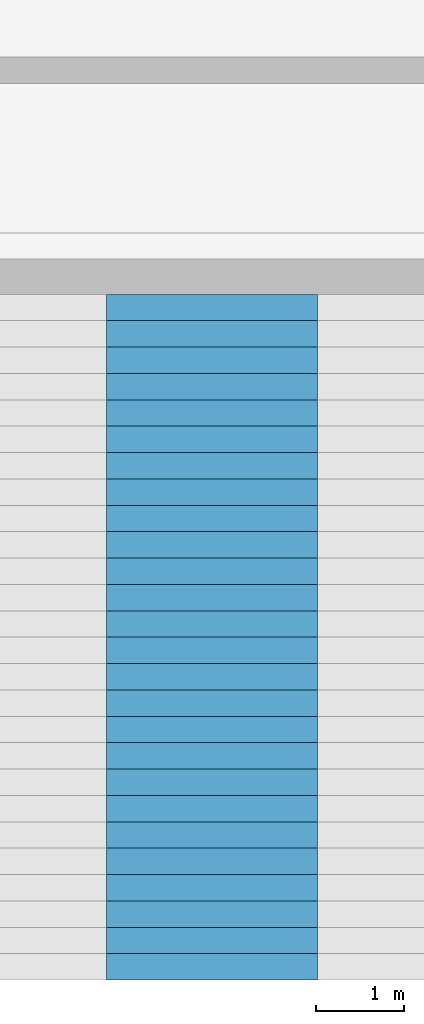
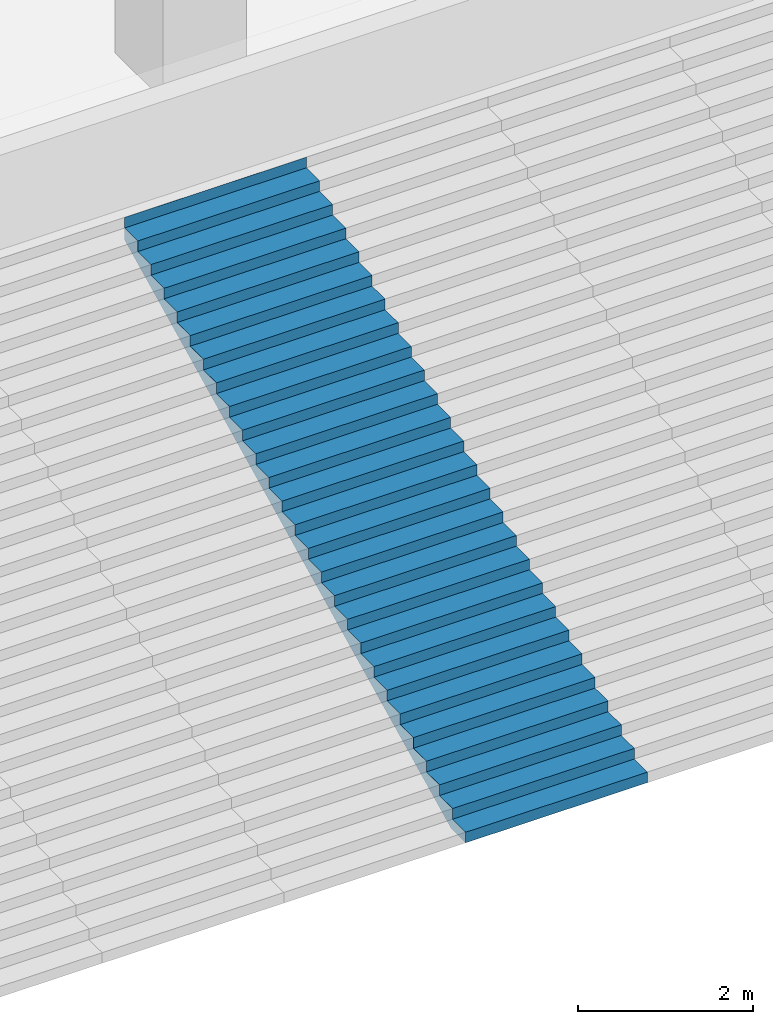
# One storey, part 27 of 45: 1 stair flight, 1 element without a shape of its own.
"""IFC4 building model written with IfcOpenShell, lengths in metres."""

from ifc_helpers import new_model, si_unit, direction, frame, origin, place, context, subcontext, project, spatial, triangles, material, type_object, element, aggregate, save


model = new_model("IFC4")

# Units and contexts
model_context = context("Model", 3, precision=1e-05, world=origin(), true_north=direction((0.0, 1.0)))
body_context = subcontext(model_context, "Body", "Model", "MODEL_VIEW")
ifc_project = project(units=[si_unit("LENGTHUNIT", "METRE"), si_unit("AREAUNIT", "SQUARE_METRE"), si_unit("VOLUMEUNIT", "CUBIC_METRE"), si_unit("PLANEANGLEUNIT", "RADIAN"), si_unit("MASSUNIT", "GRAM", prefix="KILO")], contexts=[model_context])

# Site, building, storey
site_placement = place(None, origin())
site = spatial("IfcSite", under=ifc_project, at=site_placement, CompositionType="ELEMENT")
building_placement = place(site_placement, origin())
building = spatial("IfcBuilding", under=site, at=building_placement, Name="Beryl Residences", CompositionType="ELEMENT")
storey_placement = place(building_placement, frame((0.0, 0.0, 5.0)))
storey = spatial("IfcBuildingStorey", under=building, at=storey_placement, Name="L01", CompositionType="ELEMENT", Elevation=5.0)

# Stair, stair flight
ifc_material_1 = material(Name="Precast concrete C40/50", Category="concrete")
stair_type = type_object("IfcStairType", Name="GS2 garden stair", PredefinedType="STRAIGHT_RUN_STAIR", material=ifc_material_1)
stair_placement = place(storey_placement, origin())
stair = element("IfcStair", 1, at=stair_placement, inside=storey, type_object=stair_type, Name="GS2 garden stair", PredefinedType="STRAIGHT_RUN_STAIR")
ifc_material_2 = material(Name="Precast concrete C40/50", Category="concrete")
stair_flight_type = type_object("IfcStairFlightType", Name="GF2 garden stair flight", PredefinedType="STRAIGHT", material=ifc_material_2)
stair_flight_placement = place(storey_placement, frame((-1.199951171875, -42.199951171875, 0.0), z_axis=(0.0, 0.0, 1.0), x_axis=(0.0, 1.0, 0.0)))
stair_flight = element("IfcStairFlight", 2, at=stair_flight_placement, type_object=stair_flight_type, Name="GS2 flight 5", NumberOfRisers=27, NumberOfTreads=26, PredefinedType="STRAIGHT", RiserHeight=0.148148148, TreadLength=0.3, context=body_context, shape_type="Tessellation", body=[
    triangles([(0.0, -1.199951171875, 0.0), (0.0, -0.60009765625, 0.0), (0.0, 0.0, 0.0), (0.0, 0.60009765625, 0.0), (0.0, 1.199951171875, 0.0), (0.0, -1.199951171875, 0.148193359375), (0.0, -0.60009765625, 0.148193359375), (0.0, 0.0, 0.148193359375), (0.0, 0.60009765625, 0.148193359375), (0.0, 1.199951171875, 0.148193359375), (0.300048828125, -1.199951171875, 0.148193359375), (0.300048828125, -0.60009765625, 0.148193359375), (0.300048828125, 0.0, 0.148193359375), (0.300048828125, 0.60009765625, 0.148193359375), (0.300048828125, 1.199951171875, 0.148193359375), (0.300048828125, -1.199951171875, 0.29638671875), (0.300048828125, -0.60009765625, 0.29638671875), (0.300048828125, 0.0, 0.29638671875), (0.300048828125, 0.60009765625, 0.29638671875), (0.300048828125, 1.199951171875, 0.29638671875), (0.60009765625, -1.199951171875, 0.29638671875), (0.60009765625, -0.60009765625, 0.29638671875), (0.60009765625, 0.0, 0.29638671875), (0.60009765625, 0.60009765625, 0.29638671875), (0.60009765625, 1.199951171875, 0.29638671875), (0.60009765625, -1.199951171875, 0.4443359375), (0.60009765625, -0.60009765625, 0.4443359375), (0.60009765625, 0.0, 0.4443359375), (0.60009765625, 0.60009765625, 0.4443359375), (0.60009765625, 1.199951171875, 0.4443359375), (0.89990234375, -1.199951171875, 0.4443359375), (0.89990234375, -0.60009765625, 0.4443359375), (0.89990234375, 0.0, 0.4443359375), (0.89990234375, 0.60009765625, 0.4443359375), (0.89990234375, 1.199951171875, 0.4443359375), (0.89990234375, -1.199951171875, 0.592529296875), (0.89990234375, -0.60009765625, 0.592529296875), (0.89990234375, 0.0, 0.592529296875), (0.89990234375, 0.60009765625, 0.592529296875), (0.89990234375, 1.199951171875, 0.592529296875), (1.199951171875, -1.199951171875, 0.592529296875), (1.199951171875, -0.60009765625, 0.592529296875), (1.199951171875, 0.0, 0.592529296875), (1.199951171875, 0.60009765625, 0.592529296875), (1.199951171875, 1.199951171875, 0.592529296875), (1.199951171875, -1.199951171875, 0.74072265625), (1.199951171875, -0.60009765625, 0.74072265625), (1.199951171875, 0.0, 0.74072265625), (1.199951171875, 0.60009765625, 0.74072265625), (1.199951171875, 1.199951171875, 0.74072265625), (1.5, -1.199951171875, 0.74072265625), (1.5, -0.60009765625, 0.74072265625), (1.5, 0.0, 0.74072265625), (1.5, 0.60009765625, 0.74072265625), (1.5, 1.199951171875, 0.74072265625), (1.5, -1.199951171875, 0.888916015625), (1.5, -0.60009765625, 0.888916015625), (1.5, 0.0, 0.888916015625), (1.5, 0.60009765625, 0.888916015625), (1.5, 1.199951171875, 0.888916015625), (1.800048828125, -1.199951171875, 0.888916015625), (1.800048828125, -0.60009765625, 0.888916015625), (1.800048828125, 0.0, 0.888916015625), (1.800048828125, 0.60009765625, 0.888916015625), (1.800048828125, 1.199951171875, 0.888916015625), (1.800048828125, -1.199951171875, 1.037109375), (1.800048828125, -0.60009765625, 1.037109375), (1.800048828125, 0.0, 1.037109375), (1.800048828125, 0.60009765625, 1.037109375), (1.800048828125, 1.199951171875, 1.037109375), (2.10009765625, -1.199951171875, 1.037109375), (2.10009765625, -0.60009765625, 1.037109375), (2.10009765625, 0.0, 1.037109375), (2.10009765625, 0.60009765625, 1.037109375), (2.10009765625, 1.199951171875, 1.037109375), (2.10009765625, -1.199951171875, 1.185302734375), (2.10009765625, -0.60009765625, 1.185302734375), (2.10009765625, 0.0, 1.185302734375), (2.10009765625, 0.60009765625, 1.185302734375), (2.10009765625, 1.199951171875, 1.185302734375), (2.39990234375, -1.199951171875, 1.185302734375), (2.39990234375, -0.60009765625, 1.185302734375), (2.39990234375, 0.0, 1.185302734375), (2.39990234375, 0.60009765625, 1.185302734375), (2.39990234375, 1.199951171875, 1.185302734375), (2.39990234375, -1.199951171875, 1.333251953125), (2.39990234375, -0.60009765625, 1.333251953125), (2.39990234375, 0.0, 1.333251953125), (2.39990234375, 0.60009765625, 1.333251953125), (2.39990234375, 1.199951171875, 1.333251953125), (2.699951171875, -1.199951171875, 1.333251953125), (2.699951171875, -0.60009765625, 1.333251953125), (2.699951171875, 0.0, 1.333251953125), (2.699951171875, 0.60009765625, 1.333251953125), (2.699951171875, 1.199951171875, 1.333251953125), (2.699951171875, -1.199951171875, 1.4814453125), (2.699951171875, -0.60009765625, 1.4814453125), (2.699951171875, 0.0, 1.4814453125), (2.699951171875, 0.60009765625, 1.4814453125), (2.699951171875, 1.199951171875, 1.4814453125), (3.0, -1.199951171875, 1.4814453125), (3.0, -0.60009765625, 1.4814453125), (3.0, 0.0, 1.4814453125), (3.0, 0.60009765625, 1.4814453125), (3.0, 1.199951171875, 1.4814453125), (3.0, -1.199951171875, 1.629638671875), (3.0, -0.60009765625, 1.629638671875), (3.0, 0.0, 1.629638671875), (3.0, 0.60009765625, 1.629638671875), (3.0, 1.199951171875, 1.629638671875), (3.300048828125, -1.199951171875, 1.629638671875), (3.300048828125, -0.60009765625, 1.629638671875), (3.300048828125, 0.0, 1.629638671875), (3.300048828125, 0.60009765625, 1.629638671875), (3.300048828125, 1.199951171875, 1.629638671875), (3.300048828125, -1.199951171875, 1.77783203125), (3.300048828125, -0.60009765625, 1.77783203125), (3.300048828125, 0.0, 1.77783203125), (3.300048828125, 0.60009765625, 1.77783203125), (3.300048828125, 1.199951171875, 1.77783203125), (3.60009765625, -1.199951171875, 1.77783203125), (3.60009765625, -0.60009765625, 1.77783203125), (3.60009765625, 0.0, 1.77783203125), (3.60009765625, 0.60009765625, 1.77783203125), (3.60009765625, 1.199951171875, 1.77783203125), (3.60009765625, -1.199951171875, 1.926025390625), (3.60009765625, -0.60009765625, 1.926025390625), (3.60009765625, 0.0, 1.926025390625), (3.60009765625, 0.60009765625, 1.926025390625), (3.60009765625, 1.199951171875, 1.926025390625), (3.89990234375, -1.199951171875, 1.926025390625), (3.89990234375, -0.60009765625, 1.926025390625), (3.89990234375, 0.0, 1.926025390625), (3.89990234375, 0.60009765625, 1.926025390625), (3.89990234375, 1.199951171875, 1.926025390625), (3.89990234375, -1.199951171875, 2.073974609375), (3.89990234375, -0.60009765625, 2.073974609375), (3.89990234375, 0.0, 2.073974609375), (3.89990234375, 0.60009765625, 2.073974609375), (3.89990234375, 1.199951171875, 2.073974609375), (4.199951171875, -1.199951171875, 2.073974609375), (4.199951171875, -0.60009765625, 2.073974609375), (4.199951171875, 0.0, 2.073974609375), (4.199951171875, 0.60009765625, 2.073974609375), (4.199951171875, 1.199951171875, 2.073974609375), (4.199951171875, -1.199951171875, 2.22216796875), (4.199951171875, -0.60009765625, 2.22216796875), (4.199951171875, 0.0, 2.22216796875), (4.199951171875, 0.60009765625, 2.22216796875), (4.199951171875, 1.199951171875, 2.22216796875), (4.5, -1.199951171875, 2.22216796875), (4.5, -0.60009765625, 2.22216796875), (4.5, 0.0, 2.22216796875), (4.5, 0.60009765625, 2.22216796875), (4.5, 1.199951171875, 2.22216796875), (4.5, -1.199951171875, 2.370361328125), (4.5, -0.60009765625, 2.370361328125), (4.5, 0.0, 2.370361328125), (4.5, 0.60009765625, 2.370361328125), (4.5, 1.199951171875, 2.370361328125), (4.800048828125, -1.199951171875, 2.370361328125), (4.800048828125, -0.60009765625, 2.370361328125), (4.800048828125, 0.0, 2.370361328125), (4.800048828125, 0.60009765625, 2.370361328125), (4.800048828125, 1.199951171875, 2.370361328125), (4.800048828125, -1.199951171875, 2.5185546875), (4.800048828125, -0.60009765625, 2.5185546875), (4.800048828125, 0.0, 2.5185546875), (4.800048828125, 0.60009765625, 2.5185546875), (4.800048828125, 1.199951171875, 2.5185546875), (5.10009765625, -1.199951171875, 2.5185546875), (5.10009765625, -0.60009765625, 2.5185546875), (5.10009765625, 0.0, 2.5185546875), (5.10009765625, 0.60009765625, 2.5185546875), (5.10009765625, 1.199951171875, 2.5185546875), (5.10009765625, -1.199951171875, 2.666748046875), (5.10009765625, -0.60009765625, 2.666748046875), (5.10009765625, 0.0, 2.666748046875), (5.10009765625, 0.60009765625, 2.666748046875), (5.10009765625, 1.199951171875, 2.666748046875), (5.39990234375, -1.199951171875, 2.666748046875), (5.39990234375, -0.60009765625, 2.666748046875), (5.39990234375, 0.0, 2.666748046875), (5.39990234375, 0.60009765625, 2.666748046875), (5.39990234375, 1.199951171875, 2.666748046875), (5.39990234375, -1.199951171875, 2.814697265625), (5.39990234375, -0.60009765625, 2.814697265625), (5.39990234375, 0.0, 2.814697265625), (5.39990234375, 0.60009765625, 2.814697265625), (5.39990234375, 1.199951171875, 2.814697265625), (5.699951171875, -1.199951171875, 2.814697265625), (5.699951171875, -0.60009765625, 2.814697265625), (5.699951171875, 0.0, 2.814697265625), (5.699951171875, 0.60009765625, 2.814697265625), (5.699951171875, 1.199951171875, 2.814697265625), (5.699951171875, -1.199951171875, 2.962890625), (5.699951171875, -0.60009765625, 2.962890625), (5.699951171875, 0.0, 2.962890625), (5.699951171875, 0.60009765625, 2.962890625), (5.699951171875, 1.199951171875, 2.962890625), (6.0, -1.199951171875, 2.962890625), (6.0, -0.60009765625, 2.962890625), (6.0, 0.0, 2.962890625), (6.0, 0.60009765625, 2.962890625), (6.0, 1.199951171875, 2.962890625), (6.0, -1.199951171875, 3.111083984375), (6.0, -0.60009765625, 3.111083984375), (6.0, 0.0, 3.111083984375), (6.0, 0.60009765625, 3.111083984375), (6.0, 1.199951171875, 3.111083984375), (6.300048828125, -1.199951171875, 3.111083984375), (6.300048828125, -0.60009765625, 3.111083984375), (6.300048828125, 0.0, 3.111083984375), (6.300048828125, 0.60009765625, 3.111083984375), (6.300048828125, 1.199951171875, 3.111083984375), (6.300048828125, -1.199951171875, 3.25927734375), (6.300048828125, -0.60009765625, 3.25927734375), (6.300048828125, 0.0, 3.25927734375), (6.300048828125, 0.60009765625, 3.25927734375), (6.300048828125, 1.199951171875, 3.25927734375), (6.60009765625, -1.199951171875, 3.25927734375), (6.60009765625, -0.60009765625, 3.25927734375), (6.60009765625, 0.0, 3.25927734375), (6.60009765625, 0.60009765625, 3.25927734375), (6.60009765625, 1.199951171875, 3.25927734375), (6.60009765625, -1.199951171875, 3.407470703125), (6.60009765625, -0.60009765625, 3.407470703125), (6.60009765625, 0.0, 3.407470703125), (6.60009765625, 0.60009765625, 3.407470703125), (6.60009765625, 1.199951171875, 3.407470703125), (6.89990234375, -1.199951171875, 3.407470703125), (6.89990234375, -0.60009765625, 3.407470703125), (6.89990234375, 0.0, 3.407470703125), (6.89990234375, 0.60009765625, 3.407470703125), (6.89990234375, 1.199951171875, 3.407470703125), (6.89990234375, -1.199951171875, 3.5556640625), (6.89990234375, -0.60009765625, 3.5556640625), (6.89990234375, 0.0, 3.5556640625), (6.89990234375, 0.60009765625, 3.5556640625), (6.89990234375, 1.199951171875, 3.5556640625), (7.199951171875, -1.199951171875, 3.5556640625), (7.199951171875, -0.60009765625, 3.5556640625), (7.199951171875, 0.0, 3.5556640625), (7.199951171875, 0.60009765625, 3.5556640625), (7.199951171875, 1.199951171875, 3.5556640625), (7.199951171875, -1.199951171875, 3.70361328125), (7.199951171875, -0.60009765625, 3.70361328125), (7.199951171875, 0.0, 3.70361328125), (7.199951171875, 0.60009765625, 3.70361328125), (7.199951171875, 1.199951171875, 3.70361328125), (7.5, -1.199951171875, 3.70361328125), (7.5, -0.60009765625, 3.70361328125), (7.5, 0.0, 3.70361328125), (7.5, 0.60009765625, 3.70361328125), (7.5, 1.199951171875, 3.70361328125), (7.5, -1.199951171875, 3.851806640625), (7.5, -0.60009765625, 3.851806640625), (7.5, 0.0, 3.851806640625), (7.5, 0.60009765625, 3.851806640625), (7.5, 1.199951171875, 3.851806640625), (7.800048828125, -1.199951171875, 3.851806640625), (7.800048828125, -0.60009765625, 3.851806640625), (7.800048828125, 0.0, 3.851806640625), (7.800048828125, 0.60009765625, 3.851806640625), (7.800048828125, 1.199951171875, 3.851806640625), (7.800048828125, -1.199951171875, 4.0), (7.800048828125, -0.60009765625, 4.0), (7.800048828125, 0.0, 4.0), (7.800048828125, 0.60009765625, 4.0), (7.800048828125, 1.199951171875, 4.0), (7.801025390625, -1.199951171875, 4.0), (7.801025390625, -0.60009765625, 4.0), (7.801025390625, 0.0, 4.0), (7.801025390625, 0.60009765625, 4.0), (7.801025390625, 1.199951171875, 4.0), (7.801025390625, -1.199951171875, 3.6845703125), (7.801025390625, -0.60009765625, 3.6845703125), (7.801025390625, 0.0, 3.6845703125), (7.801025390625, 0.60009765625, 3.6845703125), (7.801025390625, 1.199951171875, 3.6845703125), (0.339599609375, -1.199951171875, 0.0), (0.339599609375, -0.60009765625, 0.0), (0.339599609375, 0.0, 0.0), (0.339599609375, 0.60009765625, 0.0), (0.339599609375, 1.199951171875, 0.0)], [[1, 6, 7], [1, 7, 2], [2, 7, 8], [2, 8, 3], [3, 8, 9], [3, 9, 4], [4, 9, 10], [4, 10, 5], [6, 11, 12], [6, 12, 7], [7, 12, 13], [7, 13, 8], [8, 13, 14], [8, 14, 9], [9, 14, 15], [9, 15, 10], [11, 16, 17], [11, 17, 12], [12, 17, 18], [12, 18, 13], [13, 18, 19], [13, 19, 14], [14, 19, 20], [14, 20, 15], [16, 21, 22], [16, 22, 17], [17, 22, 23], [17, 23, 18], [18, 23, 24], [18, 24, 19], [19, 24, 25], [19, 25, 20], [21, 26, 27], [21, 27, 22], [22, 27, 28], [22, 28, 23], [23, 28, 29], [23, 29, 24], [24, 29, 30], [24, 30, 25], [26, 31, 32], [26, 32, 27], [27, 32, 33], [27, 33, 28], [28, 33, 34], [28, 34, 29], [29, 34, 35], [29, 35, 30], [31, 36, 37], [31, 37, 32], [32, 37, 38], [32, 38, 33], [33, 38, 39], [33, 39, 34], [34, 39, 40], [34, 40, 35], [36, 41, 42], [36, 42, 37], [37, 42, 43], [37, 43, 38], [38, 43, 44], [38, 44, 39], [39, 44, 45], [39, 45, 40], [41, 46, 47], [41, 47, 42], [42, 47, 48], [42, 48, 43], [43, 48, 49], [43, 49, 44], [44, 49, 50], [44, 50, 45], [46, 51, 52], [46, 52, 47], [47, 52, 53], [47, 53, 48], [48, 53, 54], [48, 54, 49], [49, 54, 55], [49, 55, 50], [51, 56, 57], [51, 57, 52], [52, 57, 58], [52, 58, 53], [53, 58, 59], [53, 59, 54], [54, 59, 60], [54, 60, 55], [56, 61, 62], [56, 62, 57], [57, 62, 63], [57, 63, 58], [58, 63, 64], [58, 64, 59], [59, 64, 65], [59, 65, 60], [61, 66, 67], [61, 67, 62], [62, 67, 68], [62, 68, 63], [63, 68, 69], [63, 69, 64], [64, 69, 70], [64, 70, 65], [66, 71, 72], [66, 72, 67], [67, 72, 73], [67, 73, 68], [68, 73, 74], [68, 74, 69], [69, 74, 75], [69, 75, 70], [71, 76, 77], [71, 77, 72], [72, 77, 78], [72, 78, 73], [73, 78, 79], [73, 79, 74], [74, 79, 80], [74, 80, 75], [76, 81, 82], [76, 82, 77], [77, 82, 83], [77, 83, 78], [78, 83, 84], [78, 84, 79], [79, 84, 85], [79, 85, 80], [81, 86, 87], [81, 87, 82], [82, 87, 88], [82, 88, 83], [83, 88, 89], [83, 89, 84], [84, 89, 90], [84, 90, 85], [86, 91, 92], [86, 92, 87], [87, 92, 93], [87, 93, 88], [88, 93, 94], [88, 94, 89], [89, 94, 95], [89, 95, 90], [91, 96, 97], [91, 97, 92], [92, 97, 98], [92, 98, 93], [93, 98, 99], [93, 99, 94], [94, 99, 100], [94, 100, 95], [96, 101, 102], [96, 102, 97], [97, 102, 103], [97, 103, 98], [98, 103, 104], [98, 104, 99], [99, 104, 105], [99, 105, 100], [101, 106, 107], [101, 107, 102], [102, 107, 108], [102, 108, 103], [103, 108, 109], [103, 109, 104], [104, 109, 110], [104, 110, 105], [106, 111, 112], [106, 112, 107], [107, 112, 113], [107, 113, 108], [108, 113, 114], [108, 114, 109], [109, 114, 115], [109, 115, 110], [111, 116, 117], [111, 117, 112], [112, 117, 118], [112, 118, 113], [113, 118, 119], [113, 119, 114], [114, 119, 120], [114, 120, 115], [116, 121, 122], [116, 122, 117], [117, 122, 123], [117, 123, 118], [118, 123, 124], [118, 124, 119], [119, 124, 125], [119, 125, 120], [121, 126, 127], [121, 127, 122], [122, 127, 128], [122, 128, 123], [123, 128, 129], [123, 129, 124], [124, 129, 130], [124, 130, 125], [126, 131, 132], [126, 132, 127], [127, 132, 133], [127, 133, 128], [128, 133, 134], [128, 134, 129], [129, 134, 135], [129, 135, 130], [131, 136, 137], [131, 137, 132], [132, 137, 138], [132, 138, 133], [133, 138, 139], [133, 139, 134], [134, 139, 140], [134, 140, 135], [136, 141, 142], [136, 142, 137], [137, 142, 143], [137, 143, 138], [138, 143, 144], [138, 144, 139], [139, 144, 145], [139, 145, 140], [141, 146, 147], [141, 147, 142], [142, 147, 148], [142, 148, 143], [143, 148, 149], [143, 149, 144], [144, 149, 150], [144, 150, 145], [146, 151, 152], [146, 152, 147], [147, 152, 153], [147, 153, 148], [148, 153, 154], [148, 154, 149], [149, 154, 155], [149, 155, 150], [151, 156, 157], [151, 157, 152], [152, 157, 158], [152, 158, 153], [153, 158, 159], [153, 159, 154], [154, 159, 160], [154, 160, 155], [156, 161, 162], [156, 162, 157], [157, 162, 163], [157, 163, 158], [158, 163, 164], [158, 164, 159], [159, 164, 165], [159, 165, 160], [161, 166, 167], [161, 167, 162], [162, 167, 168], [162, 168, 163], [163, 168, 169], [163, 169, 164], [164, 169, 170], [164, 170, 165], [166, 171, 172], [166, 172, 167], [167, 172, 173], [167, 173, 168], [168, 173, 174], [168, 174, 169], [169, 174, 175], [169, 175, 170], [171, 176, 177], [171, 177, 172], [172, 177, 178], [172, 178, 173], [173, 178, 179], [173, 179, 174], [174, 179, 180], [174, 180, 175], [176, 181, 182], [176, 182, 177], [177, 182, 183], [177, 183, 178], [178, 183, 184], [178, 184, 179], [179, 184, 185], [179, 185, 180], [181, 186, 187], [181, 187, 182], [182, 187, 188], [182, 188, 183], [183, 188, 189], [183, 189, 184], [184, 189, 190], [184, 190, 185], [186, 191, 192], [186, 192, 187], [187, 192, 193], [187, 193, 188], [188, 193, 194], [188, 194, 189], [189, 194, 195], [189, 195, 190], [191, 196, 197], [191, 197, 192], [192, 197, 198], [192, 198, 193], [193, 198, 199], [193, 199, 194], [194, 199, 200], [194, 200, 195], [196, 201, 202], [196, 202, 197], [197, 202, 203], [197, 203, 198], [198, 203, 204], [198, 204, 199], [199, 204, 205], [199, 205, 200], [201, 206, 207], [201, 207, 202], [202, 207, 208], [202, 208, 203], [203, 208, 209], [203, 209, 204], [204, 209, 210], [204, 210, 205], [206, 211, 212], [206, 212, 207], [207, 212, 213], [207, 213, 208], [208, 213, 214], [208, 214, 209], [209, 214, 215], [209, 215, 210], [211, 216, 217], [211, 217, 212], [212, 217, 218], [212, 218, 213], [213, 218, 219], [213, 219, 214], [214, 219, 220], [214, 220, 215], [216, 221, 222], [216, 222, 217], [217, 222, 223], [217, 223, 218], [218, 223, 224], [218, 224, 219], [219, 224, 225], [219, 225, 220], [221, 226, 227], [221, 227, 222], [222, 227, 228], [222, 228, 223], [223, 228, 229], [223, 229, 224], [224, 229, 230], [224, 230, 225], [226, 231, 232], [226, 232, 227], [227, 232, 233], [227, 233, 228], [228, 233, 234], [228, 234, 229], [229, 234, 235], [229, 235, 230], [231, 236, 237], [231, 237, 232], [232, 237, 238], [232, 238, 233], [233, 238, 239], [233, 239, 234], [234, 239, 240], [234, 240, 235], [236, 241, 242], [236, 242, 237], [237, 242, 243], [237, 243, 238], [238, 243, 244], [238, 244, 239], [239, 244, 245], [239, 245, 240], [241, 246, 247], [241, 247, 242], [242, 247, 248], [242, 248, 243], [243, 248, 249], [243, 249, 244], [244, 249, 250], [244, 250, 245], [246, 251, 252], [246, 252, 247], [247, 252, 253], [247, 253, 248], [248, 253, 254], [248, 254, 249], [249, 254, 255], [249, 255, 250], [251, 256, 257], [251, 257, 252], [252, 257, 258], [252, 258, 253], [253, 258, 259], [253, 259, 254], [254, 259, 260], [254, 260, 255], [256, 261, 262], [256, 262, 257], [257, 262, 263], [257, 263, 258], [258, 263, 264], [258, 264, 259], [259, 264, 265], [259, 265, 260], [261, 266, 267], [261, 267, 262], [262, 267, 268], [262, 268, 263], [263, 268, 269], [263, 269, 264], [264, 269, 270], [264, 270, 265], [266, 271, 272], [266, 272, 267], [267, 272, 273], [267, 273, 268], [268, 273, 274], [268, 274, 269], [269, 274, 275], [269, 275, 270], [271, 276, 277], [271, 277, 272], [272, 277, 278], [272, 278, 273], [273, 278, 279], [273, 279, 274], [274, 279, 280], [274, 280, 275], [276, 281, 282], [276, 282, 277], [277, 282, 283], [277, 283, 278], [278, 283, 284], [278, 284, 279], [279, 284, 285], [279, 285, 280], [281, 1, 2], [281, 2, 282], [282, 2, 3], [282, 3, 283], [283, 3, 4], [283, 4, 284], [284, 4, 5], [284, 5, 285], [1, 281, 276], [5, 280, 285], [276, 271, 266], [280, 270, 275], [276, 266, 261], [280, 265, 270], [276, 261, 256], [280, 260, 265], [276, 256, 251], [280, 255, 260], [276, 251, 246], [280, 250, 255], [276, 246, 241], [280, 245, 250], [241, 236, 231], [245, 235, 240], [276, 241, 231], [280, 235, 245], [231, 226, 221], [235, 225, 230], [276, 231, 221], [280, 225, 235], [221, 216, 211], [225, 215, 220], [276, 221, 211], [280, 215, 225], [211, 206, 201], [215, 205, 210], [276, 211, 201], [280, 205, 215], [201, 196, 191], [205, 195, 200], [276, 201, 191], [280, 195, 205], [191, 186, 181], [195, 185, 190], [276, 191, 181], [280, 185, 195], [181, 176, 171], [185, 175, 180], [276, 181, 171], [280, 175, 185], [171, 166, 161], [175, 165, 170], [276, 171, 161], [280, 165, 175], [161, 156, 151], [165, 155, 160], [276, 161, 151], [280, 155, 165], [151, 146, 141], [155, 145, 150], [276, 151, 141], [280, 145, 155], [141, 136, 131], [145, 135, 140], [276, 141, 131], [280, 135, 145], [131, 126, 121], [135, 125, 130], [276, 131, 121], [280, 125, 135], [121, 116, 111], [125, 115, 120], [276, 121, 111], [280, 115, 125], [111, 106, 101], [115, 105, 110], [276, 111, 101], [280, 105, 115], [101, 96, 91], [105, 95, 100], [276, 101, 91], [280, 95, 105], [91, 86, 81], [95, 85, 90], [276, 91, 81], [280, 85, 95], [81, 76, 71], [85, 75, 80], [276, 81, 71], [280, 75, 85], [71, 66, 61], [75, 65, 70], [276, 71, 61], [280, 65, 75], [61, 56, 51], [65, 55, 60], [276, 61, 51], [280, 55, 65], [51, 46, 41], [55, 45, 50], [276, 51, 41], [280, 45, 55], [41, 36, 31], [45, 35, 40], [276, 41, 31], [280, 35, 45], [1, 276, 31], [5, 35, 280], [31, 26, 21], [35, 25, 30], [21, 16, 11], [25, 15, 20], [31, 21, 11], [35, 15, 25], [1, 31, 11], [5, 15, 35], [11, 6, 1], [15, 5, 10]], closed=True),
])
aggregate(stair, [stair_flight])

save(model, "model.ifc")
